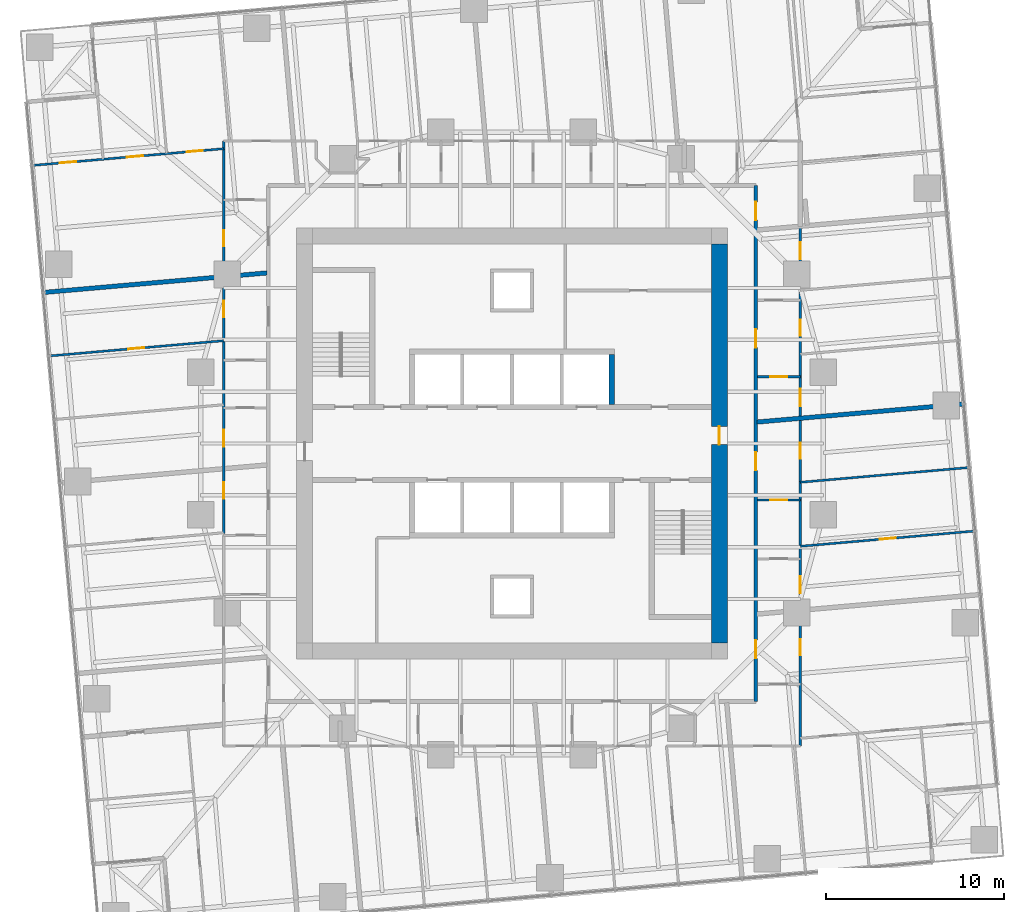
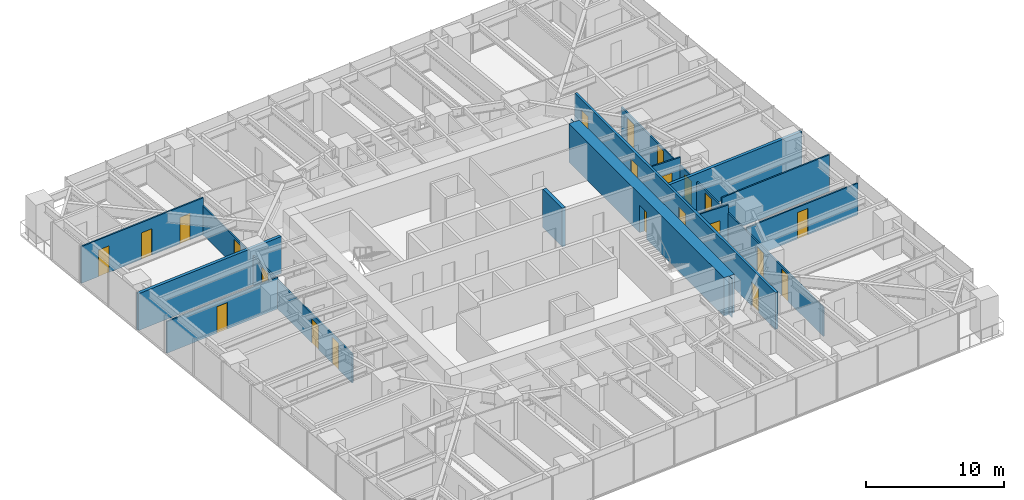
# One storey, part 11 of 14: 22 doors, 13 walls, 22 openings.
"""IFC4 building model written with IfcOpenShell, lengths in metres."""

import ifcopenshell
import ifcopenshell.guid

model = None  # the IFC model being written
_history = None  # IfcOwnerHistory: only IFC2X3 demands one
_inside = {}  # id of a spatial element -> (the spatial element, [elements in it])
_under = {}  # id of a project, library or spatial element -> (it, [spatial elements below it])
_declared = {}  # id of a project -> (the project, [libraries it declares])
_typed = {}  # id of a type object -> (the type object, [elements of that type])
_made_of = {}  # id of a material, layer set ... -> (it, [elements and type objects made of it])


def new_model(schema):
    """Start an empty IFC model of exactly this schema.

    Asked for "IFC4X3", IfcOpenShell would pick the latest addendum, in which some entities
    have other attributes; the version numbers below select the first issue.
    IFC2X3 requires an IfcOwnerHistory on every rooted entity: one is made here for all.
    """
    global model, _history
    if schema == "IFC4X3":
        model = ifcopenshell.file(schema_version=(4, 3, 0, 0))
    else:
        model = ifcopenshell.file(schema=schema)
    _inside.clear()
    _under.clear()
    _declared.clear()
    _typed.clear()
    _made_of.clear()
    _history = None
    if model.schema == "IFC2X3":
        org = make("IfcOrganization", Name="unknown")
        user = make(
            "IfcPersonAndOrganization",
            ThePerson=make("IfcPerson", FamilyName="unknown"),
            TheOrganization=org,
        )
        app = make(
            "IfcApplication",
            ApplicationDeveloper=org,
            Version="unknown",
            ApplicationFullName="unknown",
            ApplicationIdentifier="unknown",
        )
        _history = make(
            "IfcOwnerHistory",
            OwningUser=user,
            OwningApplication=app,
            ChangeAction="ADDED",
            CreationDate=0,
        )
    return model


def make(cls, **values):
    """One entity of the class cls with the attributes given. An attribute that is None is left unset."""
    return model.create_entity(
        cls, **{name: value for name, value in values.items() if value is not None}
    )


def rooted(cls, **values):
    """An entity with a GlobalId (a new one), such as an element, a storey or a relation."""
    return make(cls, GlobalId=ifcopenshell.guid.new(), OwnerHistory=_history, **values)


def si_unit(unit_type, name, prefix=None):
    """IfcSIUnit, for example si_unit("LENGTHUNIT", "METRE", prefix="MILLI")."""
    return make("IfcSIUnit", UnitType=unit_type, Prefix=prefix, Name=name)


def assignment(units):
    """IfcUnitAssignment: the units of a project."""
    return None if units is None else make("IfcUnitAssignment", Units=units)


def point(xyz):
    """IfcCartesianPoint."""
    return None if xyz is None else make("IfcCartesianPoint", Coordinates=xyz)


def direction(xyz):
    """IfcDirection."""
    return None if xyz is None else make("IfcDirection", DirectionRatios=xyz)


def frame(location, z_axis=None, x_axis=None):
    """IfcAxis2Placement3D, a coordinate frame: its origin and axes. An axis left out is left unset."""
    return make(
        "IfcAxis2Placement3D",
        Location=point(location),
        Axis=direction(z_axis),
        RefDirection=direction(x_axis),
    )


def frame_2d(location, x_axis=None):
    """IfcAxis2Placement2D, a coordinate frame in the plane: its origin and x axis."""
    return make(
        "IfcAxis2Placement2D", Location=point(location), RefDirection=direction(x_axis)
    )


def origin():
    """The frame at (0, 0, 0) with its axes left unset."""
    return frame((0.0, 0.0, 0.0))


def place(relative_to, where):
    """IfcLocalPlacement: puts the frame where relative to a parent placement (None: the world)."""
    return make(
        "IfcLocalPlacement", PlacementRelTo=relative_to, RelativePlacement=where
    )


def context(
    kind, dimensions, precision=None, world=None, true_north=None, identifier=None
):
    """IfcGeometricRepresentationContext, for example the 3D "Model" context."""
    return make(
        "IfcGeometricRepresentationContext",
        ContextIdentifier=identifier,
        ContextType=kind,
        CoordinateSpaceDimension=dimensions,
        Precision=precision,
        WorldCoordinateSystem=world,
        TrueNorth=true_north,
    )


def subcontext(parent, identifier, kind, view, scale=None):
    """IfcGeometricRepresentationSubContext, for example "Body" below "Model"."""
    return make(
        "IfcGeometricRepresentationSubContext",
        ContextIdentifier=identifier,
        ContextType=kind,
        ParentContext=parent,
        TargetScale=scale,
        TargetView=view,
    )


def project(units=None, contexts=None):
    """IfcProject with its units and contexts."""
    return rooted(
        "IfcProject",
        Name="project",
        RepresentationContexts=contexts,
        UnitsInContext=assignment(units),
    )


def spatial(cls, under=None, at=None, **own):
    """A site, building, storey or space (cls), placed at a placement, below another one or the project."""
    s = rooted(cls, ObjectPlacement=at, **own)
    if under is not None:
        _under.setdefault(under.id(), (under, []))[1].append(s)
    return s


def polyline(points):
    """IfcPolyline through the points."""
    return make("IfcPolyline", Points=[point(p) for p in points])


def profile(cls, at=None, kind="AREA", **sizes):
    """A parametric profile (cls). Its sizes go by their IFC names, for example OverallWidth=200.0."""
    return make(cls, ProfileType=kind, Position=at, **sizes)


def rectangle(**sizes):
    """IfcRectangleProfileDef."""
    return profile("IfcRectangleProfileDef", **sizes)


def outline(outer, holes=None, kind="AREA"):
    """IfcArbitraryClosedProfileDef: a profile drawn as a closed curve; with holes, ...WithVoids."""
    if holes is None:
        return make("IfcArbitraryClosedProfileDef", ProfileType=kind, OuterCurve=outer)
    return make(
        "IfcArbitraryProfileDefWithVoids",
        ProfileType=kind,
        OuterCurve=outer,
        InnerCurves=holes,
    )


def extrude(swept, where, along, depth):
    """IfcExtrudedAreaSolid: the profile swept, set in the frame where, extruded along a direction by depth."""
    return make(
        "IfcExtrudedAreaSolid",
        SweptArea=swept,
        Position=where,
        ExtrudedDirection=direction(along),
        Depth=depth,
    )


def shape(context_of_items, identifier, shape_type, items):
    """IfcShapeRepresentation: the items that make up one representation, for example the "Body"."""
    return make(
        "IfcShapeRepresentation",
        ContextOfItems=context_of_items,
        RepresentationIdentifier=identifier,
        RepresentationType=shape_type,
        Items=items,
    )


def material(Name=None, Category=None):
    """IfcMaterial."""
    return make("IfcMaterial", Name=Name, Category=Category)


def layer(
    of_material, thickness, ventilated=None, Name=None, Category=None, Priority=None
):
    """IfcMaterialLayer: one layer of a wall or slab, of a material (None: an air gap)."""
    return make(
        "IfcMaterialLayer",
        Material=of_material,
        LayerThickness=thickness,
        IsVentilated=ventilated,
        Name=Name,
        Category=Category,
        Priority=Priority,
    )


def layer_set(layers, Name=None):
    """IfcMaterialLayerSet."""
    return make("IfcMaterialLayerSet", MaterialLayers=layers, LayerSetName=Name)


def made_of(thing, what):
    """Note that an element or type object is made of a material, layer set ...; save() writes the relation."""
    if what is not None:
        _made_of.setdefault(what.id(), (what, []))[1].append(thing)
    return thing


def type_object(cls, material=None, **own):
    """A type object (cls), such as IfcWallType, which elements share."""
    return made_of(rooted(cls, **own), material)


def element(
    cls,
    number,
    at=None,
    inside=None,
    cuts=None,
    type_object=None,
    material=None,
    context=None,
    identifier="Body",
    shape_type=None,
    held_by="IfcProductDefinitionShape",
    body=None,
    shapes=None,
    **own,
):
    """One element of the class cls, such as IfcWall. Its Tag is "e" and its number.

    at: its placement. inside: the storey or other place that contains it. cuts: it is an
    opening in that element (IfcRelVoidsElement). A single representation is given by context,
    identifier, shape_type and body (its items); several are given by shapes. held_by: the class
    of the entity that holds the representations. save() writes the other relations.
    """
    e = rooted(cls, Tag="e%d" % number, ObjectPlacement=at, **own)
    if body is not None:
        shapes = [shape(context, identifier, shape_type, body)]
    if shapes is not None:
        e.Representation = make(held_by, Representations=shapes)
    if inside is not None:
        _inside.setdefault(inside.id(), (inside, []))[1].append(e)
    if cuts is not None:
        rooted(
            "IfcRelVoidsElement", RelatingBuildingElement=cuts, RelatedOpeningElement=e
        )
    if type_object is not None:
        _typed.setdefault(type_object.id(), (type_object, []))[1].append(e)
    return made_of(e, material)


def fill(opening, filler):
    """IfcRelFillsElement: the door or window that sits in an opening."""
    return rooted(
        "IfcRelFillsElement",
        RelatingOpeningElement=opening,
        RelatedBuildingElement=filler,
    )


def aggregate(whole, parts):
    """IfcRelAggregates: a whole, such as a stair, and the parts it consists of."""
    return rooted("IfcRelAggregates", RelatingObject=whole, RelatedObjects=parts)


def save(model, path):
    """Write the relations noted so far, then the file.

    IfcRelAggregates (storeys below a building ...), IfcRelContainedInSpatialStructure (elements
    in a storey), IfcRelDefinesByType, IfcRelAssociatesMaterial and IfcRelDeclares: one each for
    every whole, place, type object, material and project.
    """
    for whole, parts in _under.values():
        aggregate(whole, parts)
    for where, things in _inside.values():
        rooted(
            "IfcRelContainedInSpatialStructure",
            RelatedElements=things,
            RelatingStructure=where,
        )
    for kind, things in _typed.values():
        rooted("IfcRelDefinesByType", RelatedObjects=things, RelatingType=kind)
    for what, things in _made_of.values():
        rooted("IfcRelAssociatesMaterial", RelatedObjects=things, RelatingMaterial=what)
    for by, libraries in _declared.values():
        rooted("IfcRelDeclares", RelatingContext=by, RelatedDefinitions=libraries)
    model.write(path)


model = new_model("IFC4")

# Units and contexts
model_context = context("Model", 3, precision=1e-05, world=origin(), true_north=direction((0.0, 1.0)))
body_context = subcontext(model_context, "Body", "Model", "MODEL_VIEW")
ifc_project = project(units=[si_unit("LENGTHUNIT", "METRE"), si_unit("AREAUNIT", "SQUARE_METRE"), si_unit("VOLUMEUNIT", "CUBIC_METRE"), si_unit("PLANEANGLEUNIT", "RADIAN"), si_unit("MASSUNIT", "GRAM", prefix="KILO")], contexts=[model_context])

# Site, building, storey
site_placement = place(None, origin())
site = spatial("IfcSite", under=ifc_project, at=site_placement, CompositionType="ELEMENT")
building_placement = place(site_placement, origin())
building = spatial("IfcBuilding", under=site, at=building_placement, Name="Torsade Residences", CompositionType="ELEMENT")
storey_placement = place(building_placement, frame((0.0, 0.0, 60.800048828125)))
storey = spatial("IfcBuildingStorey", under=building, at=storey_placement, Name="L16", CompositionType="ELEMENT", Elevation=60.800048828125)

# Wall
ifc_material_1 = material(Name="Concrete 80 MPa", Category="concrete")
ifc_layer_1 = layer(ifc_material_1, 0.300048828125)
ifc_layer_set_1 = layer_set([ifc_layer_1], Name="Concrete 80 MPa")
wall_type_1 = type_object("IfcWallType", Name="CORE INTERNAL WALL 300", PredefinedType="SHEAR", material=ifc_layer_set_1)
wall_1_placement = place(storey_placement, frame((45.60009765625, 32.199951171875, 0.0), z_axis=(0.0, 0.0, 1.0), x_axis=(0.0, 1.0, 0.0)))
element("IfcWall", 1, at=wall_1_placement, inside=storey, type_object=wall_type_1, Name="Core wall DN4 L16", PredefinedType="SHEAR", context=body_context, shape_type="SweptSolid", body=[
    extrude(rectangle(XDim=2.800048828125, YDim=0.300048828125, at=frame_2d((1.39990234375, 0.0))), origin(), (0.0, 0.0, 1.0), 3.39990234375),
])

# Wall, opening, door
ifc_material_2 = material(Name="Concrete 80 MPa", Category="concrete")
ifc_layer_2 = layer(ifc_material_2, 0.89990234375)
ifc_layer_set_2 = layer_set([ifc_layer_2], Name="Concrete 80 MPa")
wall_type_2 = type_object("IfcWallType", Name="CORE WALL 900", PredefinedType="SHEAR", material=ifc_layer_set_2)
wall_2_placement = place(storey_placement, frame((51.64990234375, 18.800048828125, 0.0), z_axis=(0.0, 0.0, 1.0), x_axis=(0.0, 1.0, 0.0)))
wall_2 = element("IfcWall", 2, at=wall_2_placement, inside=storey, type_object=wall_type_2, Name="Core wall E L16", PredefinedType="SHEAR", context=body_context, shape_type="SweptSolid", body=[
    extrude(outline(polyline([(0.0, -0.449951171875), (22.39990234375, -0.449951171875), (22.39990234375, -0.02490234375), (22.849853515625, -0.02490234375), (22.849853515625, 0.02490234375), (22.39990234375, 0.02490234375), (22.39990234375, 0.449951171875), (0.0, 0.449951171875), (0.0, 0.02490234375), (-0.449951171875, 0.02490234375), (-0.449951171875, -0.02490234375), (0.0, -0.02490234375), (0.0, -0.449951171875)])), origin(), (0.0, 0.0, 1.0), 3.39990234375),
])
opening_1_placement = place(wall_2_placement, frame((11.139892578125, 0.0, 0.0)))
opening_1 = element("IfcOpeningElement", 3, at=opening_1_placement, cuts=wall_2, Name="Opening D04", PredefinedType="OPENING", context=body_context, shape_type="SweptSolid", body=[
    extrude(rectangle(XDim=1.02001953125, YDim=2.39990234375, at=frame_2d((0.510009765625, 1.199951171875))), frame((0.0, 0.4599609375, 0.0), z_axis=(0.0, -1.0, 0.0), x_axis=(1.0, 0.0, 0.0)), (0.0, 0.0, 1.0), 0.919921875),
])
ifc_material_3 = material(Name="Steel-framed fire door", Category="steel")
door_type_1 = type_object("IfcDoorType", Name="LOBBY SMOKE DOOR 1020x2400", OperationType="NOTDEFINED", PredefinedType="DOOR", material=ifc_material_3)
door_1_placement = place(opening_1_placement, origin())
door_1 = element("IfcDoor", 4, at=door_1_placement, inside=storey, type_object=door_type_1, Name="Lift lobby door E L16", OperationType="SINGLE_SWING_LEFT", OverallHeight=2.39990234375, OverallWidth=1.02001953125, PredefinedType="DOOR", context=body_context, shape_type="SweptSolid", body=[
    extrude(rectangle(XDim=1.02001953125, YDim=2.39990234375, at=frame_2d((0.510009765625, 1.199951171875))), frame((0.0, 0.02490234375, 0.0), z_axis=(0.0, -1.0, 0.0), x_axis=(1.0, 0.0, 0.0)), (0.0, 0.0, 1.0), 0.050048828125),
])
fill(opening_1, door_1)

# Wall, openings, doors
ifc_material_4 = material(Name="Plasterboard on steel stud", Category="steel")
ifc_layer_3 = layer(ifc_material_4, 0.199951171875)
ifc_layer_set_3 = layer_set([ifc_layer_3], Name="Plasterboard on steel stud")
wall_type_3 = type_object("IfcWallType", Name="CORRIDOR WALL 200", PredefinedType="PARTITIONING", material=ifc_layer_set_3)
wall_3_placement = place(storey_placement, frame((53.699951171875, 15.5, 0.0), z_axis=(0.0, 0.0, 1.0), x_axis=(0.0, 1.0, 0.0)))
wall_3 = element("IfcWall", 5, at=wall_3_placement, inside=storey, type_object=wall_type_3, Name="Corridor wall L16", PredefinedType="PARTITIONING", context=body_context, shape_type="SweptSolid", body=[
    extrude(rectangle(XDim=29.0, YDim=0.199951171875, at=frame_2d((14.5, 0.0))), origin(), (0.0, 0.0, 1.0), 3.25),
])
opening_2_placement = place(wall_3_placement, frame((12.996826171875, 0.0, 0.0)))
opening_2 = element("IfcOpeningElement", 6, at=opening_2_placement, cuts=wall_3, Name="Opening D01", PredefinedType="OPENING", context=body_context, shape_type="SweptSolid", body=[
    extrude(rectangle(XDim=1.02001953125, YDim=2.340087890625, at=frame_2d((0.510009765625, 1.169921875))), frame((0.0, 0.10986328125, 0.0), z_axis=(0.0, -1.0, 0.0), x_axis=(1.0, 0.0, 0.0)), (0.0, 0.0, 1.0), 0.219970703125),
])
opening_3_placement = place(wall_3_placement, frame((19.89111328125, 0.0, 0.0)))
opening_3 = element("IfcOpeningElement", 7, at=opening_3_placement, cuts=wall_3, Name="Opening D01", PredefinedType="OPENING", context=body_context, shape_type="SweptSolid", body=[
    extrude(rectangle(XDim=1.02001953125, YDim=2.340087890625, at=frame_2d((0.510009765625, 1.169921875))), frame((0.0, 0.10986328125, 0.0), z_axis=(0.0, -1.0, 0.0), x_axis=(1.0, 0.0, 0.0)), (0.0, 0.0, 1.0), 0.219970703125),
])
opening_4_placement = place(wall_3_placement, frame((2.4248046875, 0.0, 0.0)))
opening_4 = element("IfcOpeningElement", 8, at=opening_4_placement, cuts=wall_3, Name="Opening D01L", PredefinedType="OPENING", context=body_context, shape_type="SweptSolid", body=[
    extrude(rectangle(XDim=1.02001953125, YDim=2.10009765625, at=frame_2d((0.510009765625, 1.050048828125))), frame((0.0, 0.10986328125, 0.0), z_axis=(0.0, -1.0, 0.0), x_axis=(1.0, 0.0, 0.0)), (0.0, 0.0, 1.0), 0.219970703125),
])
opening_5_placement = place(wall_3_placement, frame((27.054931640625, 0.0, 0.0)))
opening_5 = element("IfcOpeningElement", 9, at=opening_5_placement, cuts=wall_3, Name="Opening D01", PredefinedType="OPENING", context=body_context, shape_type="SweptSolid", body=[
    extrude(rectangle(XDim=1.02001953125, YDim=2.340087890625, at=frame_2d((0.510009765625, 1.169921875))), frame((0.0, 0.10986328125, 0.0), z_axis=(0.0, -1.0, 0.0), x_axis=(1.0, 0.0, 0.0)), (0.0, 0.0, 1.0), 0.219970703125),
])
ifc_material_5 = material(Name="Solid-core timber fire door", Category="wood")
door_type_2 = type_object("IfcDoorType", Name="APARTMENT ENTRY DOOR 1020x2100", OperationType="NOTDEFINED", PredefinedType="DOOR", material=ifc_material_5)
door_2_placement = place(opening_4_placement, origin())
door_2 = element("IfcDoor", 10, at=door_2_placement, inside=storey, type_object=door_type_2, Name="Door Residential corridor to Kitchen and dining", OperationType="SINGLE_SWING_LEFT", OverallHeight=2.10009765625, OverallWidth=1.02001953125, PredefinedType="DOOR", context=body_context, shape_type="SweptSolid", body=[
    extrude(rectangle(XDim=1.02001953125, YDim=2.10009765625, at=frame_2d((0.510009765625, 1.050048828125))), frame((0.0, 0.02490234375, 0.0), z_axis=(0.0, -1.0, 0.0), x_axis=(1.0, 0.0, 0.0)), (0.0, 0.0, 1.0), 0.050048828125),
])
fill(opening_4, door_2)
ifc_material_6 = material(Name="Solid-core timber fire door", Category="wood")
door_type_3 = type_object("IfcDoorType", Name="APARTMENT ENTRY DOOR 1020x2340", OperationType="NOTDEFINED", PredefinedType="DOOR", material=ifc_material_6)
door_3_placement = place(opening_2_placement, origin())
door_3 = element("IfcDoor", 11, at=door_3_placement, inside=storey, type_object=door_type_3, Name="Door Residential corridor to Kitchen and dining", OperationType="SINGLE_SWING_LEFT", OverallHeight=2.340087890625, OverallWidth=1.02001953125, PredefinedType="DOOR", context=body_context, shape_type="SweptSolid", body=[
    extrude(rectangle(XDim=1.02001953125, YDim=2.340087890625, at=frame_2d((0.510009765625, 1.169921875))), frame((0.0, 0.02490234375, 0.0), z_axis=(0.0, -1.0, 0.0), x_axis=(1.0, 0.0, 0.0)), (0.0, 0.0, 1.0), 0.050048828125),
])
fill(opening_2, door_3)
door_4_placement = place(opening_3_placement, origin())
door_4 = element("IfcDoor", 12, at=door_4_placement, inside=storey, type_object=door_type_3, Name="Door Residential corridor to Kitchen and dining", OperationType="SINGLE_SWING_RIGHT", OverallHeight=2.340087890625, OverallWidth=1.02001953125, PredefinedType="DOOR", context=body_context, shape_type="SweptSolid", body=[
    extrude(rectangle(XDim=1.02001953125, YDim=2.340087890625, at=frame_2d((0.510009765625, 1.169921875))), frame((0.0, 0.02490234375, 0.0), z_axis=(0.0, -1.0, 0.0), x_axis=(1.0, 0.0, 0.0)), (0.0, 0.0, 1.0), 0.050048828125),
])
fill(opening_3, door_4)
door_5_placement = place(opening_5_placement, origin())
door_5 = element("IfcDoor", 13, at=door_5_placement, inside=storey, type_object=door_type_3, Name="Door Residential corridor to Kitchen and dining", OperationType="SINGLE_SWING_RIGHT", OverallHeight=2.340087890625, OverallWidth=1.02001953125, PredefinedType="DOOR", context=body_context, shape_type="SweptSolid", body=[
    extrude(rectangle(XDim=1.02001953125, YDim=2.340087890625, at=frame_2d((0.510009765625, 1.169921875))), frame((0.0, 0.02490234375, 0.0), z_axis=(0.0, -1.0, 0.0), x_axis=(1.0, 0.0, 0.0)), (0.0, 0.0, 1.0), 0.050048828125),
])
fill(opening_5, door_5)

ifc_material_7 = material(Name="Plasterboard on steel stud", Category="steel")
ifc_layer_4 = layer(ifc_material_7, 0.1201171875)
ifc_layer_set_4 = layer_set([ifc_layer_4], Name="Plasterboard on steel stud")
wall_type_4 = type_object("IfcWallType", Name="PARTITION 120", PredefinedType="PARTITIONING", material=ifc_layer_set_4)
wall_4_placement = place(storey_placement, frame((23.800048828125, 24.935546875, 0.0), z_axis=(0.0, 0.0, 1.0), x_axis=(0.0, 1.0, 0.0)))
wall_4 = element("IfcWall", 14, at=wall_4_placement, inside=storey, type_object=wall_type_4, Name="Partition L16", PredefinedType="PARTITIONING", context=body_context, shape_type="SweptSolid", body=[
    extrude(rectangle(XDim=22.064453125, YDim=0.1201171875, at=frame_2d((11.0322265625, 0.0))), origin(), (0.0, 0.0, 1.0), 2.550048828125),
])
opening_6_placement = place(wall_4_placement, frame((12.154541015625, 0.0, 0.0)))
opening_6 = element("IfcOpeningElement", 15, at=opening_6_placement, cuts=wall_4, Name="Opening D02", PredefinedType="OPENING", context=body_context, shape_type="SweptSolid", body=[
    extrude(rectangle(XDim=0.919921875, YDim=2.340087890625, at=frame_2d((0.4599609375, 1.169921875))), frame((0.0, 0.070068359375, 0.0), z_axis=(0.0, -1.0, 0.0), x_axis=(1.0, 0.0, 0.0)), (0.0, 0.0, 1.0), 0.14013671875),
])
opening_7_placement = place(wall_4_placement, frame((16.13623046875, 0.0, 0.0)))
opening_7 = element("IfcOpeningElement", 16, at=opening_7_placement, cuts=wall_4, Name="Opening D02", PredefinedType="OPENING", context=body_context, shape_type="SweptSolid", body=[
    extrude(rectangle(XDim=0.919921875, YDim=2.340087890625, at=frame_2d((0.4599609375, 1.169921875))), frame((0.0, 0.070068359375, 0.0), z_axis=(0.0, -1.0, 0.0), x_axis=(1.0, 0.0, 0.0)), (0.0, 0.0, 1.0), 0.14013671875),
])
opening_8_placement = place(wall_4_placement, frame((1.963623046875, 0.0, 0.0)))
opening_8 = element("IfcOpeningElement", 17, at=opening_8_placement, cuts=wall_4, Name="Opening D02", PredefinedType="OPENING", context=body_context, shape_type="SweptSolid", body=[
    extrude(rectangle(XDim=0.919921875, YDim=2.340087890625, at=frame_2d((0.4599609375, 1.169921875))), frame((0.0, 0.070068359375, 0.0), z_axis=(0.0, -1.0, 0.0), x_axis=(1.0, 0.0, 0.0)), (0.0, 0.0, 1.0), 0.14013671875),
])
opening_9_placement = place(wall_4_placement, frame((4.87744140625, 0.0, 0.0)))
opening_9 = element("IfcOpeningElement", 18, at=opening_9_placement, cuts=wall_4, Name="Opening D05", PredefinedType="OPENING", context=body_context, shape_type="SweptSolid", body=[
    extrude(rectangle(XDim=0.9599609375, YDim=2.10009765625, at=frame_2d((0.47998046875, 1.050048828125))), frame((0.0, 0.070068359375, 0.0), z_axis=(0.0, -1.0, 0.0), x_axis=(1.0, 0.0, 0.0)), (0.0, 0.0, 1.0), 0.14013671875),
])
ifc_material_8 = material(Name="Hollow-core timber door in a steel cavity frame", Category="steel")
door_type_4 = type_object("IfcDoorType", Name="BATHROOM CAVITY SLIDING DOOR 960", OperationType="SLIDING_TO_LEFT", PredefinedType="DOOR", material=ifc_material_8)
door_6_placement = place(opening_9_placement, origin())
door_6 = element("IfcDoor", 19, at=door_6_placement, inside=storey, type_object=door_type_4, Name="Door Bathroom to Bedroom 2", OperationType="SLIDING_TO_LEFT", OverallHeight=2.10009765625, OverallWidth=0.9599609375, PredefinedType="DOOR", context=body_context, shape_type="SweptSolid", body=[
    extrude(rectangle(XDim=0.9599609375, YDim=2.10009765625, at=frame_2d((0.47998046875, 1.050048828125))), frame((0.0, 0.02490234375, 0.0), z_axis=(0.0, -1.0, 0.0), x_axis=(1.0, 0.0, 0.0)), (0.0, 0.0, 1.0), 0.050048828125),
])
fill(opening_9, door_6)
ifc_material_9 = material(Name="Hollow-core timber door", Category="wood")
door_type_5 = type_object("IfcDoorType", Name="INTERNAL DOOR 920x2340", OperationType="NOTDEFINED", PredefinedType="DOOR", material=ifc_material_9)
door_7_placement = place(opening_6_placement, origin())
door_7 = element("IfcDoor", 20, at=door_7_placement, inside=storey, type_object=door_type_5, Name="Door Kitchen and dining to Living room", OperationType="SINGLE_SWING_RIGHT", OverallHeight=2.340087890625, OverallWidth=0.919921875, PredefinedType="DOOR", context=body_context, shape_type="SweptSolid", body=[
    extrude(rectangle(XDim=0.919921875, YDim=2.340087890625, at=frame_2d((0.4599609375, 1.169921875))), frame((0.0, 0.02490234375, 0.0), z_axis=(0.0, -1.0, 0.0), x_axis=(1.0, 0.0, 0.0)), (0.0, 0.0, 1.0), 0.050048828125),
])
fill(opening_6, door_7)
door_8_placement = place(opening_7_placement, origin())
door_8 = element("IfcDoor", 21, at=door_8_placement, inside=storey, type_object=door_type_5, Name="Door Kitchen and dining to Living room", OperationType="SINGLE_SWING_LEFT", OverallHeight=2.340087890625, OverallWidth=0.919921875, PredefinedType="DOOR", context=body_context, shape_type="SweptSolid", body=[
    extrude(rectangle(XDim=0.919921875, YDim=2.340087890625, at=frame_2d((0.4599609375, 1.169921875))), frame((0.0, 0.02490234375, 0.0), z_axis=(0.0, -1.0, 0.0), x_axis=(1.0, 0.0, 0.0)), (0.0, 0.0, 1.0), 0.050048828125),
])
fill(opening_7, door_8)
door_9_placement = place(opening_8_placement, origin())
door_9 = element("IfcDoor", 22, at=door_9_placement, inside=storey, type_object=door_type_5, Name="Door Kitchen and dining to Living room", OperationType="SINGLE_SWING_RIGHT", OverallHeight=2.340087890625, OverallWidth=0.919921875, PredefinedType="DOOR", context=body_context, shape_type="SweptSolid", body=[
    extrude(rectangle(XDim=0.919921875, YDim=2.340087890625, at=frame_2d((0.4599609375, 1.169921875))), frame((0.0, 0.02490234375, 0.0), z_axis=(0.0, -1.0, 0.0), x_axis=(1.0, 0.0, 0.0)), (0.0, 0.0, 1.0), 0.050048828125),
])
fill(opening_8, door_9)

wall_5_placement = place(storey_placement, frame((56.199951171875, 42.20849609375, 0.0), z_axis=(0.0, 0.0, 1.0), x_axis=(0.0, -1.0, 0.0)))
wall_5 = element("IfcWall", 23, at=wall_5_placement, inside=storey, type_object=wall_type_4, Name="Partition L16", PredefinedType="PARTITIONING", context=body_context, shape_type="SweptSolid", body=[
    extrude(rectangle(XDim=29.20849609375, YDim=0.1201171875, at=frame_2d((14.604248046875, 0.0))), origin(), (0.0, 0.0, 1.0), 2.550048828125),
])
opening_10_placement = place(wall_5_placement, frame((12.154541015625, 0.0, 0.0)))
opening_10 = element("IfcOpeningElement", 24, at=opening_10_placement, cuts=wall_5, Name="Opening D02", PredefinedType="OPENING", context=body_context, shape_type="SweptSolid", body=[
    extrude(rectangle(XDim=0.919921875, YDim=2.340087890625, at=frame_2d((0.4599609375, 1.169921875))), frame((0.0, 0.070068359375, 0.0), z_axis=(0.0, -1.0, 0.0), x_axis=(1.0, 0.0, 0.0)), (0.0, 0.0, 1.0), 0.14013671875),
])
opening_11_placement = place(wall_5_placement, frame((5.2412109375, 0.0, 0.0)))
opening_11 = element("IfcOpeningElement", 25, at=opening_11_placement, cuts=wall_5, Name="Opening D02", PredefinedType="OPENING", context=body_context, shape_type="SweptSolid", body=[
    extrude(rectangle(XDim=0.919921875, YDim=2.340087890625, at=frame_2d((0.4599609375, 1.169921875))), frame((0.0, 0.070068359375, 0.0), z_axis=(0.0, -1.0, 0.0), x_axis=(1.0, 0.0, 0.0)), (0.0, 0.0, 1.0), 0.14013671875),
])
opening_12_placement = place(wall_5_placement, frame((23.2001953125, 0.0, 0.0)))
opening_12 = element("IfcOpeningElement", 26, at=opening_12_placement, cuts=wall_5, Name="Opening D02", PredefinedType="OPENING", context=body_context, shape_type="SweptSolid", body=[
    extrude(rectangle(XDim=0.919921875, YDim=2.340087890625, at=frame_2d((0.4599609375, 1.169921875))), frame((0.0, 0.070068359375, 0.0), z_axis=(0.0, -1.0, 0.0), x_axis=(1.0, 0.0, 0.0)), (0.0, 0.0, 1.0), 0.14013671875),
])
opening_13_placement = place(wall_5_placement, frame((0.8935546875, 0.0, 0.0)))
opening_13 = element("IfcOpeningElement", 27, at=opening_13_placement, cuts=wall_5, Name="Opening D05", PredefinedType="OPENING", context=body_context, shape_type="SweptSolid", body=[
    extrude(rectangle(XDim=0.9599609375, YDim=2.10009765625, at=frame_2d((0.47998046875, 1.050048828125))), frame((0.0, 0.070068359375, 0.0), z_axis=(0.0, -1.0, 0.0), x_axis=(1.0, 0.0, 0.0)), (0.0, 0.0, 1.0), 0.14013671875),
])
opening_14_placement = place(wall_5_placement, frame((9.1435546875, 0.0, 0.0)))
opening_14 = element("IfcOpeningElement", 28, at=opening_14_placement, cuts=wall_5, Name="Opening D05", PredefinedType="OPENING", context=body_context, shape_type="SweptSolid", body=[
    extrude(rectangle(XDim=0.9599609375, YDim=2.10009765625, at=frame_2d((0.47998046875, 1.050048828125))), frame((0.0, 0.070068359375, 0.0), z_axis=(0.0, -1.0, 0.0), x_axis=(1.0, 0.0, 0.0)), (0.0, 0.0, 1.0), 0.14013671875),
])
opening_15_placement = place(wall_5_placement, frame((19.655517578125, 0.0, 0.0)))
opening_15 = element("IfcOpeningElement", 29, at=opening_15_placement, cuts=wall_5, Name="Opening D05", PredefinedType="OPENING", context=body_context, shape_type="SweptSolid", body=[
    extrude(rectangle(XDim=0.9599609375, YDim=2.10009765625, at=frame_2d((0.47998046875, 1.050048828125))), frame((0.0, 0.070068359375, 0.0), z_axis=(0.0, -1.0, 0.0), x_axis=(1.0, 0.0, 0.0)), (0.0, 0.0, 1.0), 0.14013671875),
])
door_10_placement = place(opening_13_placement, origin())
door_10 = element("IfcDoor", 30, at=door_10_placement, inside=storey, type_object=door_type_4, Name="Door Bathroom to Bedroom 2", OperationType="SLIDING_TO_LEFT", OverallHeight=2.10009765625, OverallWidth=0.9599609375, PredefinedType="DOOR", context=body_context, shape_type="SweptSolid", body=[
    extrude(rectangle(XDim=0.9599609375, YDim=2.10009765625, at=frame_2d((0.47998046875, 1.050048828125))), frame((0.0, 0.02490234375, 0.0), z_axis=(0.0, -1.0, 0.0), x_axis=(1.0, 0.0, 0.0)), (0.0, 0.0, 1.0), 0.050048828125),
])
fill(opening_13, door_10)
door_11_placement = place(opening_14_placement, origin())
door_11 = element("IfcDoor", 31, at=door_11_placement, inside=storey, type_object=door_type_4, Name="Door Ensuite to Living room", OperationType="SLIDING_TO_LEFT", OverallHeight=2.10009765625, OverallWidth=0.9599609375, PredefinedType="DOOR", context=body_context, shape_type="SweptSolid", body=[
    extrude(rectangle(XDim=0.9599609375, YDim=2.10009765625, at=frame_2d((0.47998046875, 1.050048828125))), frame((0.0, 0.02490234375, 0.0), z_axis=(0.0, -1.0, 0.0), x_axis=(1.0, 0.0, 0.0)), (0.0, 0.0, 1.0), 0.050048828125),
])
fill(opening_14, door_11)
door_12_placement = place(opening_15_placement, origin())
door_12 = element("IfcDoor", 32, at=door_12_placement, inside=storey, type_object=door_type_4, Name="Door Ensuite to Living room", OperationType="SLIDING_TO_LEFT", OverallHeight=2.10009765625, OverallWidth=0.9599609375, PredefinedType="DOOR", context=body_context, shape_type="SweptSolid", body=[
    extrude(rectangle(XDim=0.9599609375, YDim=2.10009765625, at=frame_2d((0.47998046875, 1.050048828125))), frame((0.0, 0.02490234375, 0.0), z_axis=(0.0, -1.0, 0.0), x_axis=(1.0, 0.0, 0.0)), (0.0, 0.0, 1.0), 0.050048828125),
])
fill(opening_15, door_12)
door_13_placement = place(opening_10_placement, origin())
door_13 = element("IfcDoor", 33, at=door_13_placement, inside=storey, type_object=door_type_5, Name="Door Kitchen and dining to Bedroom 2", OperationType="SINGLE_SWING_RIGHT", OverallHeight=2.340087890625, OverallWidth=0.919921875, PredefinedType="DOOR", context=body_context, shape_type="SweptSolid", body=[
    extrude(rectangle(XDim=0.919921875, YDim=2.340087890625, at=frame_2d((0.4599609375, 1.169921875))), frame((0.0, 0.02490234375, 0.0), z_axis=(0.0, -1.0, 0.0), x_axis=(1.0, 0.0, 0.0)), (0.0, 0.0, 1.0), 0.050048828125),
])
fill(opening_10, door_13)
door_14_placement = place(opening_11_placement, origin())
door_14 = element("IfcDoor", 34, at=door_14_placement, inside=storey, type_object=door_type_5, Name="Door Kitchen and dining to Bedroom 1", OperationType="SINGLE_SWING_RIGHT", OverallHeight=2.340087890625, OverallWidth=0.919921875, PredefinedType="DOOR", context=body_context, shape_type="SweptSolid", body=[
    extrude(rectangle(XDim=0.919921875, YDim=2.340087890625, at=frame_2d((0.4599609375, 1.169921875))), frame((0.0, 0.02490234375, 0.0), z_axis=(0.0, -1.0, 0.0), x_axis=(1.0, 0.0, 0.0)), (0.0, 0.0, 1.0), 0.050048828125),
])
fill(opening_11, door_14)
door_15_placement = place(opening_12_placement, origin())
door_15 = element("IfcDoor", 35, at=door_15_placement, inside=storey, type_object=door_type_5, Name="Door Kitchen and dining to Living room", OperationType="SINGLE_SWING_LEFT", OverallHeight=2.340087890625, OverallWidth=0.919921875, PredefinedType="DOOR", context=body_context, shape_type="SweptSolid", body=[
    extrude(rectangle(XDim=0.919921875, YDim=2.340087890625, at=frame_2d((0.4599609375, 1.169921875))), frame((0.0, 0.02490234375, 0.0), z_axis=(0.0, -1.0, 0.0), x_axis=(1.0, 0.0, 0.0)), (0.0, 0.0, 1.0), 0.050048828125),
])
fill(opening_12, door_15)

# Wall, opening, door
wall_6_placement = place(storey_placement, frame((56.199951171875, 26.822998046875, 0.0), z_axis=(0.0, 0.0, 1.0), x_axis=(-1.0, 0.0, 0.0)))
wall_6 = element("IfcWall", 36, at=wall_6_placement, inside=storey, type_object=wall_type_4, Name="Partition L16", PredefinedType="PARTITIONING", context=body_context, shape_type="SweptSolid", body=[
    extrude(rectangle(XDim=2.39990234375, YDim=0.1201171875, at=frame_2d((1.199951171875, 0.0))), origin(), (0.0, 0.0, 1.0), 3.25),
])
opening_16_placement = place(wall_6_placement, frame((0.719970703125, 0.0, 0.0)))
opening_16 = element("IfcOpeningElement", 37, at=opening_16_placement, cuts=wall_6, Name="Opening D05", PredefinedType="OPENING", context=body_context, shape_type="SweptSolid", body=[
    extrude(rectangle(XDim=0.9599609375, YDim=2.10009765625, at=frame_2d((0.47998046875, 1.050048828125))), frame((0.0, 0.070068359375, 0.0), z_axis=(0.0, -1.0, 0.0), x_axis=(1.0, 0.0, 0.0)), (0.0, 0.0, 1.0), 0.14013671875),
])
door_16_placement = place(opening_16_placement, origin())
door_16 = element("IfcDoor", 38, at=door_16_placement, inside=storey, type_object=door_type_4, Name="Door Kitchen and dining to Bathroom", OperationType="SLIDING_TO_LEFT", OverallHeight=2.10009765625, OverallWidth=0.9599609375, PredefinedType="DOOR", context=body_context, shape_type="SweptSolid", body=[
    extrude(rectangle(XDim=0.9599609375, YDim=2.10009765625, at=frame_2d((0.47998046875, 1.050048828125))), frame((0.0, 0.02490234375, 0.0), z_axis=(0.0, -1.0, 0.0), x_axis=(1.0, 0.0, 0.0)), (0.0, 0.0, 1.0), 0.050048828125),
])
fill(opening_16, door_16)

wall_7_placement = place(storey_placement, frame((56.199951171875, 24.223388671875, 0.0), z_axis=(0.0, 0.0, 1.0), x_axis=(0.996195794011, 0.087143215425, 0.0)))
wall_7 = element("IfcWall", 39, at=wall_7_placement, inside=storey, type_object=wall_type_4, Name="Partition L16", PredefinedType="PARTITIONING", context=body_context, shape_type="SweptSolid", body=[
    extrude(rectangle(XDim=9.8251953125, YDim=0.1201171875, at=frame_2d((4.91259765625, 0.0))), origin(), (0.0, 0.0, 1.0), 2.7958984375),
])
opening_17_placement = place(wall_7_placement, frame((4.47265625, 0.0, 0.0)))
opening_17 = element("IfcOpeningElement", 40, at=opening_17_placement, cuts=wall_7, Name="Opening D02", PredefinedType="OPENING", context=body_context, shape_type="SweptSolid", body=[
    extrude(rectangle(XDim=0.919921875, YDim=2.340087890625, at=frame_2d((0.4599609375, 1.169921875))), frame((0.0, 0.070068359375, 0.0), z_axis=(0.0, -1.0, 0.0), x_axis=(1.0, 0.0, 0.0)), (0.0, 0.0, 1.0), 0.14013671875),
])
door_17_placement = place(opening_17_placement, origin())
door_17 = element("IfcDoor", 41, at=door_17_placement, inside=storey, type_object=door_type_5, Name="Door Living room to Bedroom 1", OperationType="SINGLE_SWING_LEFT", OverallHeight=2.340087890625, OverallWidth=0.919921875, PredefinedType="DOOR", context=body_context, shape_type="SweptSolid", body=[
    extrude(rectangle(XDim=0.919921875, YDim=2.340087890625, at=frame_2d((0.4599609375, 1.169921875))), frame((0.0, 0.02490234375, 0.0), z_axis=(0.0, -1.0, 0.0), x_axis=(1.0, 0.0, 0.0)), (0.0, 0.0, 1.0), 0.050048828125),
])
fill(opening_17, door_17)

# Wall
wall_8_placement = place(storey_placement, frame((56.199951171875, 27.8203125, 0.0), z_axis=(0.0, 0.0, 1.0), x_axis=(0.996193828936, 0.087165676674, 0.0)))
element("IfcWall", 42, at=wall_8_placement, inside=storey, type_object=wall_type_4, Name="Partition L16", PredefinedType="PARTITIONING", context=body_context, shape_type="SweptSolid", body=[
    extrude(rectangle(XDim=9.51171875, YDim=0.1201171875, at=frame_2d((4.755859375, 0.0))), origin(), (0.0, 0.0, 1.0), 3.25),
])

# Wall, opening, door
wall_9_placement = place(storey_placement, frame((56.199951171875, 33.752197265625, 0.0), z_axis=(0.0, 0.0, 1.0), x_axis=(-1.0, 0.0, 0.0)))
wall_9 = element("IfcWall", 43, at=wall_9_placement, inside=storey, type_object=wall_type_4, Name="Partition L16", PredefinedType="PARTITIONING", context=body_context, shape_type="SweptSolid", body=[
    extrude(rectangle(XDim=2.39990234375, YDim=0.1201171875, at=frame_2d((1.199951171875, 0.0))), origin(), (0.0, 0.0, 1.0), 3.25),
])
opening_18_placement = place(wall_9_placement, frame((0.719970703125, 0.0, 0.0)))
opening_18 = element("IfcOpeningElement", 44, at=opening_18_placement, cuts=wall_9, Name="Opening D05", PredefinedType="OPENING", context=body_context, shape_type="SweptSolid", body=[
    extrude(rectangle(XDim=0.9599609375, YDim=2.10009765625, at=frame_2d((0.47998046875, 1.050048828125))), frame((0.0, 0.070068359375, 0.0), z_axis=(0.0, -1.0, 0.0), x_axis=(1.0, 0.0, 0.0)), (0.0, 0.0, 1.0), 0.14013671875),
])
door_18_placement = place(opening_18_placement, origin())
door_18 = element("IfcDoor", 45, at=door_18_placement, inside=storey, type_object=door_type_4, Name="Door Kitchen and dining to Ensuite", OperationType="SLIDING_TO_LEFT", OverallHeight=2.10009765625, OverallWidth=0.9599609375, PredefinedType="DOOR", context=body_context, shape_type="SweptSolid", body=[
    extrude(rectangle(XDim=0.9599609375, YDim=2.10009765625, at=frame_2d((0.47998046875, 1.050048828125))), frame((0.0, 0.02490234375, 0.0), z_axis=(0.0, -1.0, 0.0), x_axis=(1.0, 0.0, 0.0)), (0.0, 0.0, 1.0), 0.050048828125),
])
fill(opening_18, door_18)

# Wall, openings, doors
wall_10_placement = place(storey_placement, frame((13.075439453125, 45.62939453125, 0.0), z_axis=(0.0, 0.0, 1.0), x_axis=(0.996193126702, 0.087173701945, 0.0)))
wall_10 = element("IfcWall", 46, at=wall_10_placement, inside=storey, type_object=wall_type_4, Name="Partition L16", PredefinedType="PARTITIONING", context=body_context, shape_type="SweptSolid", body=[
    extrude(rectangle(XDim=10.765625, YDim=0.1201171875, at=frame_2d((5.3828125, 0.0))), origin(), (0.0, 0.0, 1.0), 3.25),
])
opening_19_placement = place(wall_10_placement, frame((1.525146484375, 0.0, 0.0)))
opening_19 = element("IfcOpeningElement", 47, at=opening_19_placement, cuts=wall_10, Name="Opening D02", PredefinedType="OPENING", context=body_context, shape_type="SweptSolid", body=[
    extrude(rectangle(XDim=0.919921875, YDim=2.340087890625, at=frame_2d((0.4599609375, 1.169921875))), frame((0.0, 0.070068359375, 0.0), z_axis=(0.0, -1.0, 0.0), x_axis=(1.0, 0.0, 0.0)), (0.0, 0.0, 1.0), 0.14013671875),
])
opening_20_placement = place(wall_10_placement, frame((5.291748046875, 0.0, 0.0)))
opening_20 = element("IfcOpeningElement", 48, at=opening_20_placement, cuts=wall_10, Name="Opening D02", PredefinedType="OPENING", context=body_context, shape_type="SweptSolid", body=[
    extrude(rectangle(XDim=0.919921875, YDim=2.340087890625, at=frame_2d((0.4599609375, 1.169921875))), frame((0.0, 0.070068359375, 0.0), z_axis=(0.0, -1.0, 0.0), x_axis=(1.0, 0.0, 0.0)), (0.0, 0.0, 1.0), 0.14013671875),
])
opening_21_placement = place(wall_10_placement, frame((8.66943359375, 0.0, 0.0)))
opening_21 = element("IfcOpeningElement", 49, at=opening_21_placement, cuts=wall_10, Name="Opening D02", PredefinedType="OPENING", context=body_context, shape_type="SweptSolid", body=[
    extrude(rectangle(XDim=0.919921875, YDim=2.340087890625, at=frame_2d((0.4599609375, 1.169921875))), frame((0.0, 0.070068359375, 0.0), z_axis=(0.0, -1.0, 0.0), x_axis=(1.0, 0.0, 0.0)), (0.0, 0.0, 1.0), 0.14013671875),
])
door_19_placement = place(opening_19_placement, origin())
door_19 = element("IfcDoor", 50, at=door_19_placement, inside=storey, type_object=door_type_5, Name="Door Living room to Family room", OperationType="SINGLE_SWING_RIGHT", OverallHeight=2.340087890625, OverallWidth=0.919921875, PredefinedType="DOOR", context=body_context, shape_type="SweptSolid", body=[
    extrude(rectangle(XDim=0.919921875, YDim=2.340087890625, at=frame_2d((0.4599609375, 1.169921875))), frame((0.0, 0.02490234375, 0.0), z_axis=(0.0, -1.0, 0.0), x_axis=(1.0, 0.0, 0.0)), (0.0, 0.0, 1.0), 0.050048828125),
])
fill(opening_19, door_19)
door_20_placement = place(opening_20_placement, origin())
door_20 = element("IfcDoor", 51, at=door_20_placement, inside=storey, type_object=door_type_5, Name="Door Living room to Bedroom 1", OperationType="SINGLE_SWING_RIGHT", OverallHeight=2.340087890625, OverallWidth=0.919921875, PredefinedType="DOOR", context=body_context, shape_type="SweptSolid", body=[
    extrude(rectangle(XDim=0.919921875, YDim=2.340087890625, at=frame_2d((0.4599609375, 1.169921875))), frame((0.0, 0.02490234375, 0.0), z_axis=(0.0, -1.0, 0.0), x_axis=(1.0, 0.0, 0.0)), (0.0, 0.0, 1.0), 0.050048828125),
])
fill(opening_20, door_20)
door_21_placement = place(opening_21_placement, origin())
door_21 = element("IfcDoor", 52, at=door_21_placement, inside=storey, type_object=door_type_5, Name="Door Living room to Bedroom 2", OperationType="SINGLE_SWING_LEFT", OverallHeight=2.340087890625, OverallWidth=0.919921875, PredefinedType="DOOR", context=body_context, shape_type="SweptSolid", body=[
    extrude(rectangle(XDim=0.919921875, YDim=2.340087890625, at=frame_2d((0.4599609375, 1.169921875))), frame((0.0, 0.02490234375, 0.0), z_axis=(0.0, -1.0, 0.0), x_axis=(1.0, 0.0, 0.0)), (0.0, 0.0, 1.0), 0.050048828125),
])
fill(opening_21, door_21)

# Wall, opening, door
wall_11_placement = place(storey_placement, frame((23.800048828125, 35.776611328125, 0.0), z_axis=(0.0, 0.0, 1.0), x_axis=(-0.996195794011, -0.087143215425, 0.0)))
wall_11 = element("IfcWall", 53, at=wall_11_placement, inside=storey, type_object=wall_type_4, Name="Partition L16", PredefinedType="PARTITIONING", context=body_context, shape_type="SweptSolid", body=[
    extrude(rectangle(XDim=9.8251953125, YDim=0.1201171875, at=frame_2d((4.91259765625, 0.0))), origin(), (0.0, 0.0, 1.0), 2.7958984375),
])
opening_22_placement = place(wall_11_placement, frame((4.47265625, 0.0, 0.0)))
opening_22 = element("IfcOpeningElement", 54, at=opening_22_placement, cuts=wall_11, Name="Opening D02", PredefinedType="OPENING", context=body_context, shape_type="SweptSolid", body=[
    extrude(rectangle(XDim=0.919921875, YDim=2.340087890625, at=frame_2d((0.4599609375, 1.169921875))), frame((0.0, 0.070068359375, 0.0), z_axis=(0.0, -1.0, 0.0), x_axis=(1.0, 0.0, 0.0)), (0.0, 0.0, 1.0), 0.14013671875),
])
door_22_placement = place(opening_22_placement, origin())
door_22 = element("IfcDoor", 55, at=door_22_placement, inside=storey, type_object=door_type_5, Name="Door Living room to Bedroom 1", OperationType="SINGLE_SWING_LEFT", OverallHeight=2.340087890625, OverallWidth=0.919921875, PredefinedType="DOOR", context=body_context, shape_type="SweptSolid", body=[
    extrude(rectangle(XDim=0.919921875, YDim=2.340087890625, at=frame_2d((0.4599609375, 1.169921875))), frame((0.0, 0.02490234375, 0.0), z_axis=(0.0, -1.0, 0.0), x_axis=(1.0, 0.0, 0.0)), (0.0, 0.0, 1.0), 0.050048828125),
])
fill(opening_22, door_22)

# Walls
ifc_material_10 = material(Name="Masonry-lined stud party wall", Category="masonry")
ifc_layer_5 = layer(ifc_material_10, 0.25)
ifc_layer_set_5 = layer_set([ifc_layer_5], Name="Masonry-lined stud party wall")
wall_type_5 = type_object("IfcWallType", Name="PARTY WALL 250", PredefinedType="PARTITIONING", material=ifc_layer_set_5)
wall_12_placement = place(storey_placement, frame((13.66015625, 38.486572265625, 0.0), z_axis=(0.0, 0.0, 1.0), x_axis=(0.996194851608, 0.087153988028, 0.0)))
element("IfcWall", 56, at=wall_12_placement, inside=storey, type_object=wall_type_5, Name="Party wall L16", PredefinedType="PARTITIONING", context=body_context, shape_type="SweptSolid", body=[
    extrude(rectangle(XDim=12.616943359375, YDim=0.25, at=frame_2d((6.30859375, 0.0))), origin(), (0.0, 0.0, 1.0), 3.25),
])
wall_13_placement = place(storey_placement, frame((65.403076171875, 32.222412109375, 0.0), z_axis=(0.0, 0.0, 1.0), x_axis=(-0.996195419442, -0.087147497287, 0.0)))
element("IfcWall", 57, at=wall_13_placement, inside=storey, type_object=wall_type_5, Name="Party wall L16", PredefinedType="PARTITIONING", context=body_context, shape_type="SweptSolid", body=[
    extrude(rectangle(XDim=11.676513671875, YDim=0.25, at=frame_2d((5.83837890625, 0.0))), origin(), (0.0, 0.0, 1.0), 3.25),
])

save(model, "model.ifc")
